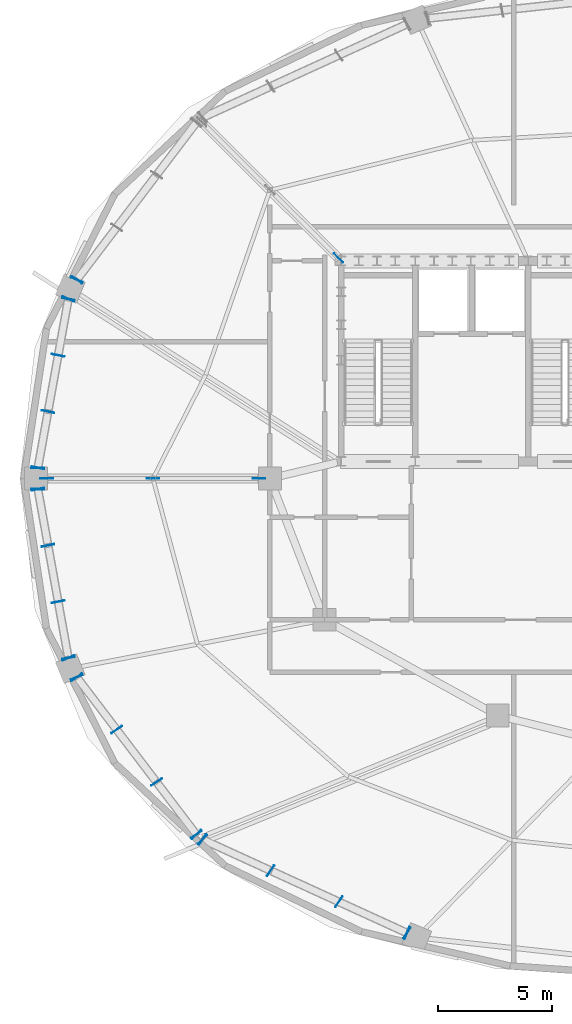
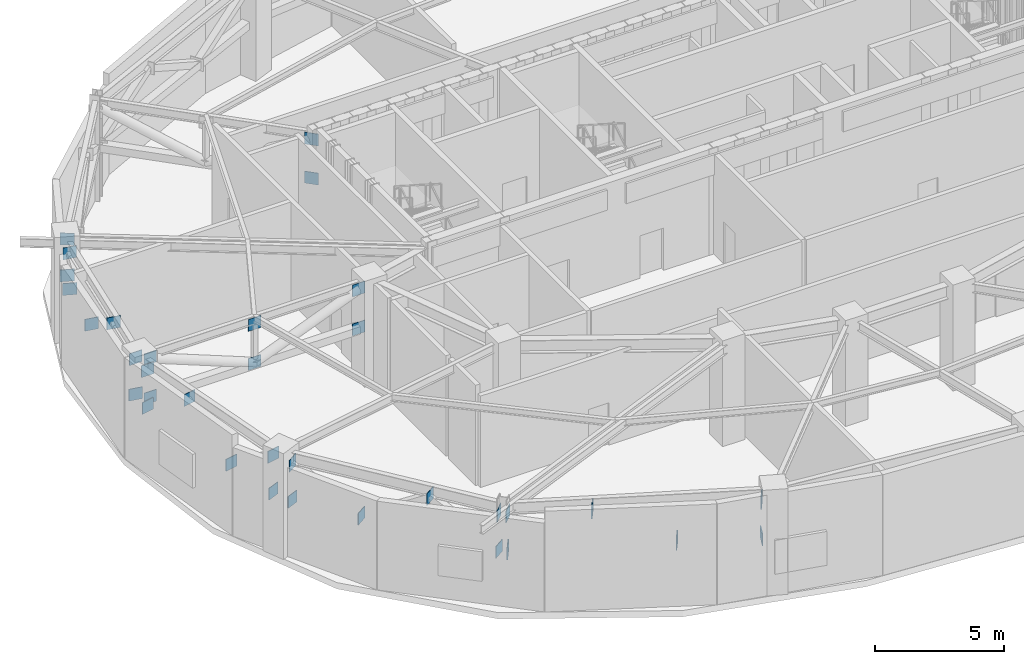
# One storey, part 10 of 20: 34 plates.
"""IFC4 building model written with IfcOpenShell, lengths in metres."""

from ifc_helpers import new_model, si_unit, direction, frame, origin, origin_2d, place, context, subcontext, project, spatial, rectangle, extrude, material, layer, layer_set, type_object, element, save


model = new_model("IFC4")

# Units and contexts
model_context = context("Model", 3, precision=1e-05, world=origin(), true_north=direction((0.0, 1.0)))
body_context = subcontext(model_context, "Body", "Model", "MODEL_VIEW")
ifc_project = project(units=[si_unit("LENGTHUNIT", "METRE"), si_unit("AREAUNIT", "SQUARE_METRE"), si_unit("VOLUMEUNIT", "CUBIC_METRE"), si_unit("PLANEANGLEUNIT", "RADIAN"), si_unit("MASSUNIT", "GRAM", prefix="KILO")], contexts=[model_context])

# Site, building, storey
site_placement = place(None, origin())
site = spatial("IfcSite", under=ifc_project, at=site_placement, CompositionType="ELEMENT")
building_placement = place(site_placement, origin())
building = spatial("IfcBuilding", under=site, at=building_placement, Name="Haldorwick Loom Tower", CompositionType="ELEMENT")
storey_placement = place(building_placement, frame((0.0, 0.0, 222.10009765625)))
storey = spatial("IfcBuildingStorey", under=building, at=storey_placement, Name="L60", CompositionType="ELEMENT", Elevation=222.10009765625)

# Plates
ifc_material = material(Name="Steel CSA G40.21 350W", Category="steel")
ifc_layer = layer(ifc_material, 0.028076171875, Name="Steel CSA G40.21 350W", Category="steel")
ifc_layer_set = layer_set([ifc_layer], Name="Steel CSA G40.21 350W")
plate_type = type_object("IfcPlateType", Name="STR-PLT-GUS28", PredefinedType="SHEET", material=ifc_layer_set)
for number, where, z_axis, x_axis, name in (
    (1, (10.326416015625, 34.720703125, 3.935791015625), (0.0, 0.0, 1.0), (-0.831469612303, 0.55557023302, 0.0), "L60 Truss Node Gusset Plate PLT-L60-BGUS-06-2B"),
    (2, (10.326416015625, 34.720703125, 2.219970703125), (0.0, 0.0, 1.0), (-0.923879532511, 0.382683432365, 0.0), "L60 Truss Node Gusset Plate PLT-L60-BGUS-06C"),
    (3, (9.95458984375, 33.875, 3.935791015625), (0.0, 0.0, 1.0), (-0.980785280403, 0.195090322016, 0.0), "L60 Truss Node Gusset Plate PLT-L60-BGUS-07-0A"),
    (4, (9.509033203125, 31.40576171875, 2.219970703125), (0.0, 0.0, 1.0), (-0.980785280403, 0.195090322016, 0.0), "L60 Truss Node Gusset Plate PLT-L60-BGUS-07-0B"),
    (5, (9.0634765625, 28.936767578125, 3.935791015625), (0.0, 0.0, 1.0), (-0.980785280403, 0.195090322016, 0.0), "L60 Truss Node Gusset Plate PLT-L60-BGUS-07-1B"),
    (6, (8.617919921875, 26.467529296875, 2.219970703125), (0.0, 0.0, 1.0), (-0.980785280403, 0.195090322016, 0.0), "L60 Truss Node Gusset Plate PLT-L60-BGUS-07-2B"),
    (7, (9.95458984375, 33.875, 2.219970703125), (0.0, 0.0, 1.0), (-0.923879532511, 0.382683432365, 0.0), "L60 Truss Node Gusset Plate PLT-L60-BGUS-07A"),
    (8, (8.617919921875, 26.467529296875, 3.935791015625), (0.0, 0.0, 1.0), (-1.0, 0.0, 0.0), "L60 Truss Node Gusset Plate PLT-L60-BGUS-07D"),
    (9, (8.617919921875, 25.532470703125, 2.219970703125), (0.0, 0.0, 1.0), (-0.980785280403, -0.195090322016, 0.0), "L60 Truss Node Gusset Plate PLT-L60-BGUS-08-0A"),
    (10, (9.0634765625, 23.063232421875, 3.935791015625), (0.0, 0.0, 1.0), (-0.980785280403, -0.195090322016, 0.0), "L60 Truss Node Gusset Plate PLT-L60-BGUS-08-0B"),
    (11, (9.509033203125, 20.59423828125, 2.219970703125), (0.0, 0.0, 1.0), (-0.980785280403, -0.195090322016, 0.0), "L60 Truss Node Gusset Plate PLT-L60-BGUS-08-1B"),
    (12, (9.95458984375, 18.125, 3.935791015625), (0.0, 0.0, 1.0), (-0.980785280403, -0.195090322016, 0.0), "L60 Truss Node Gusset Plate PLT-L60-BGUS-08-2B"),
    (13, (8.617919921875, 25.532470703125, 3.935791015625), (0.0, 0.0, 1.0), (-1.0, 0.0, 0.0), "L60 Truss Node Gusset Plate PLT-L60-BGUS-08B"),
    (14, (9.95458984375, 18.125, 2.219970703125), (0.0, 0.0, 1.0), (-0.923879532511, -0.382683432365, 0.0), "L60 Truss Node Gusset Plate PLT-L60-BGUS-08C"),
    (15, (10.326416015625, 17.279296875, 3.935791015625), (0.0, 0.0, 1.0), (-0.831469612303, -0.55557023302, 0.0), "L60 Truss Node Gusset Plate PLT-L60-BGUS-09-0A"),
    (16, (12.075927734375, 14.978515625, 2.219970703125), (0.0, 0.0, 1.0), (-0.831469612303, -0.55557023302, 0.0), "L60 Truss Node Gusset Plate PLT-L60-BGUS-09-0B"),
    (17, (13.8251953125, 12.677734375, 3.935791015625), (0.0, 0.0, 1.0), (-0.831469612303, -0.55557023302, 0.0), "L60 Truss Node Gusset Plate PLT-L60-BGUS-09-1B"),
    (18, (15.57470703125, 10.376708984375, 2.219970703125), (0.0, 0.0, 1.0), (-0.831469612303, -0.55557023302, 0.0), "L60 Truss Node Gusset Plate PLT-L60-BGUS-09-2B"),
    (19, (10.326416015625, 17.279296875, 2.219970703125), (0.0, 0.0, 1.0), (-0.923879532511, -0.382683432365, 0.0), "L60 Truss Node Gusset Plate PLT-L60-BGUS-09A"),
    (20, (15.57470703125, 10.376708984375, 3.935791015625), (0.0, 0.0, 1.0), (-0.707106781187, -0.707106781187, 0.0), "L60 Truss Node Gusset Plate PLT-L60-BGUS-09D"),
    (21, (15.84423828125, 10.160888671875, 2.219970703125), (0.0, 0.0, 1.0), (-0.55557023302, -0.831469612303, 0.0), "L60 Truss Node Gusset Plate PLT-L60-BGUS-10-0A"),
    (22, (18.83447265625, 8.79296875, 3.935791015625), (0.0, 0.0, 1.0), (-0.55557023302, -0.831469612303, 0.0), "L60 Truss Node Gusset Plate PLT-L60-BGUS-10-0B"),
    (23, (21.824462890625, 7.425048828125, 2.219970703125), (0.0, 0.0, 1.0), (-0.55557023302, -0.831469612303, 0.0), "L60 Truss Node Gusset Plate PLT-L60-BGUS-10-1B"),
    (24, (24.814697265625, 6.056884765625, 3.935791015625), (0.0, 0.0, 1.0), (-0.55557023302, -0.831469612303, 0.0), "L60 Truss Node Gusset Plate PLT-L60-BGUS-10-2B"),
    (25, (15.84423828125, 10.160888671875, 3.935791015625), (0.0, 0.0, 1.0), (-0.707106781187, -0.707106781187, 0.0), "L60 Truss Node Gusset Plate PLT-L60-BGUS-10B"),
    (26, (24.814697265625, 6.056884765625, 2.219970703125), (0.0, 0.0, 1.0), (-0.382683432365, -0.923879532511, 0.0), "L60 Truss Node Gusset Plate PLT-L60-BGUS-10C"),
    (27, (21.8037109375, 35.675537109375, 2.219970703125), (0.0, 0.0, 1.0), (-0.707106781187, 0.707106781187, 0.0), "L60 Truss Node Gusset Plate PLT-L60-OT-NW-CB0"),
    (28, (21.8037109375, 35.675537109375, 4.06689453125), (0.0, 0.0, 1.0), (-0.707106781187, 0.707106781187, 0.0), "L60 Truss Node Gusset Plate PLT-L60-OT-NW-CT0"),
    (29, (18.324951171875, 26.0, 2.219970703125), (0.0, 0.0, 1.0), (-1.0, 0.0, 0.0), "L60 Truss Node Gusset Plate PLT-L60-OT-W-CB0"),
    (30, (18.324951171875, 26.0, 4.06689453125), (0.0, 0.0, 1.0), (-1.0, 0.0, 0.0), "L60 Truss Node Gusset Plate PLT-L60-OT-W-CT0"),
    (31, (13.666748046875, 26.0, 2.219970703125), (0.0, 0.0, 1.0), (-1.0, 0.0, 0.0), "L60 Truss Node Gusset Plate PLT-L60-OT-W-MB0"),
    (32, (13.666748046875, 26.0, 4.06689453125), (0.0, 0.0, 1.0), (-1.0, 0.0, 0.0), "L60 Truss Node Gusset Plate PLT-L60-OT-W-MT0"),
    (33, (9.008544921875, 26.0, 2.219970703125), (0.0, 0.0, 1.0), (-1.0, 0.0, 0.0), "L60 Truss Node Gusset Plate PLT-L60-OT-W-PB0"),
    (34, (9.008544921875, 26.0, 4.06689453125), (0.0, 0.0, 1.0), (-1.0, 0.0, 0.0), "L60 Truss Node Gusset Plate PLT-L60-OT-W-PT0"),
):
    element("IfcPlate", number, at=place(storey_placement, frame(where, z_axis=z_axis, x_axis=x_axis)), inside=storey, type_object=plate_type, Name=name, PredefinedType="SHEET", context=body_context, shape_type="SweptSolid", body=[
        extrude(rectangle(XDim=0.56005859375, YDim=0.028076171875, at=origin_2d()), origin(), (0.0, 0.0, 1.0), 0.56005859375),
    ])

save(model, "model.ifc")
